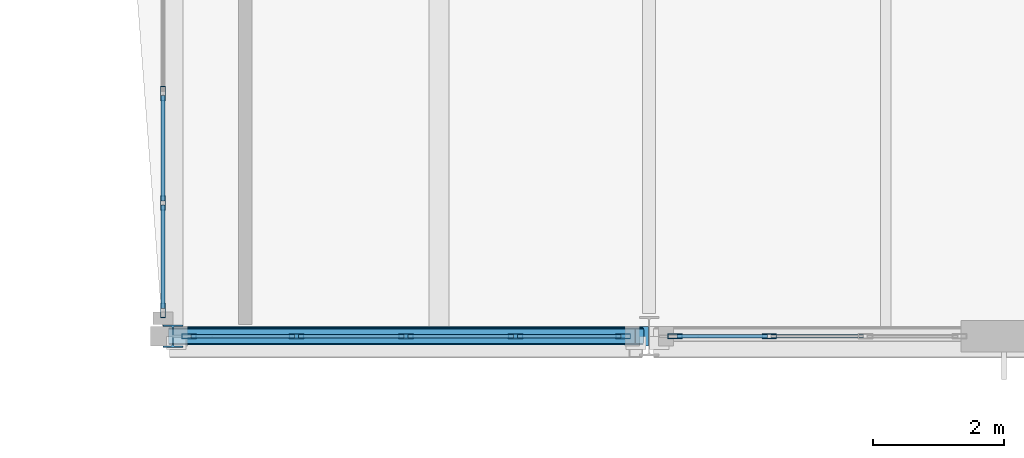
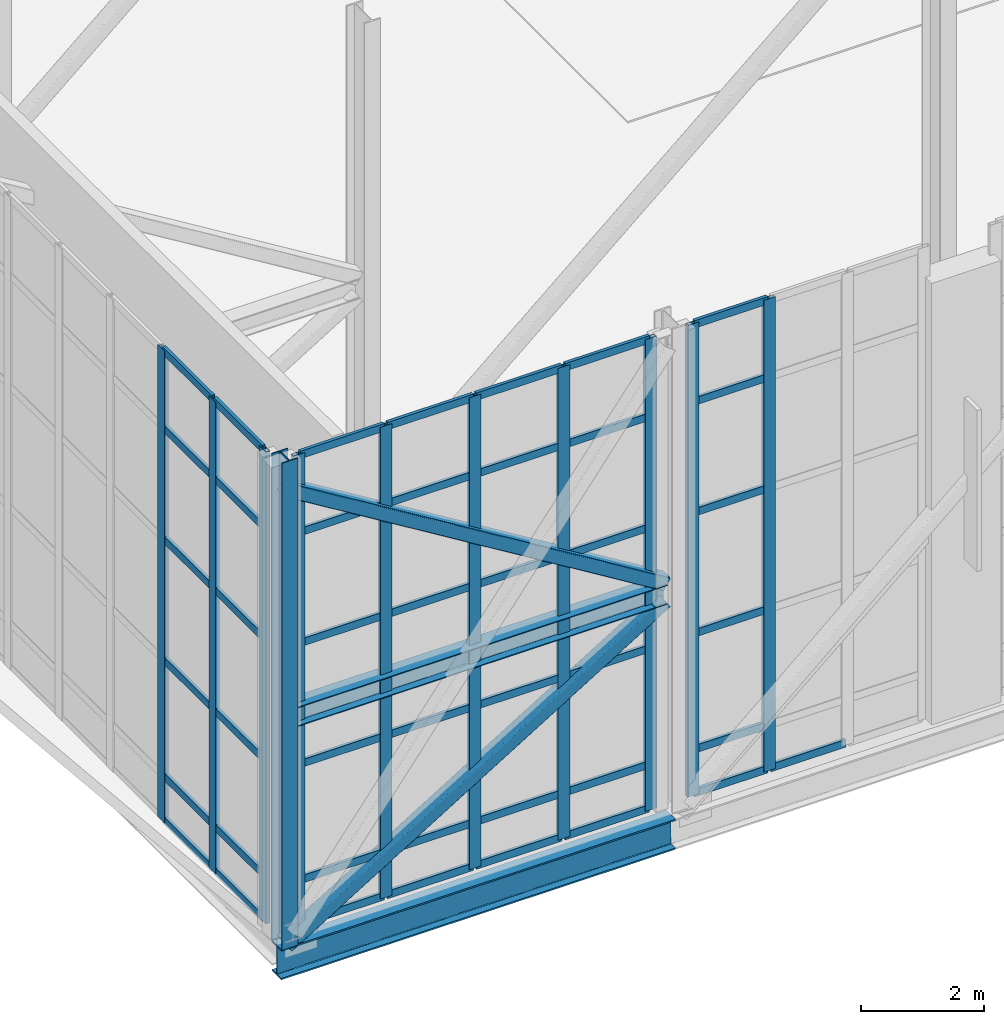
# One storey, part 12 of 100: 56 members, 2 beams, 3 elements without a shape of their own.
"""IFC4 building model written with IfcOpenShell, lengths in metres."""

from ifc_helpers import new_model, si_unit, direction, frame, origin, origin_2d, place, context, subcontext, project, spatial, hollow_rectangle, i_section, extrude, material, layer, layer_set, material_profile, profile_set, type_object, element, aggregate, save


model = new_model("IFC4")

# Units and contexts
model_context = context("Model", 3, precision=1e-05, world=origin(), true_north=direction((0.0, 1.0)))
body_context = subcontext(model_context, "Body", "Model", "MODEL_VIEW")
ifc_project = project(units=[si_unit("LENGTHUNIT", "METRE"), si_unit("AREAUNIT", "SQUARE_METRE"), si_unit("VOLUMEUNIT", "CUBIC_METRE"), si_unit("PLANEANGLEUNIT", "RADIAN"), si_unit("MASSUNIT", "GRAM", prefix="KILO")], contexts=[model_context])

# Site, building, storey
site_placement = place(None, origin())
site = spatial("IfcSite", under=ifc_project, at=site_placement, CompositionType="ELEMENT")
building_placement = place(site_placement, origin())
building = spatial("IfcBuilding", under=site, at=building_placement, Name="Tasgan Crest Museum", CompositionType="ELEMENT")
storey_placement = place(building_placement, frame((0.0, 0.0, 14.39990234375)))
storey = spatial("IfcBuildingStorey", under=building, at=storey_placement, Name="L03", CompositionType="ELEMENT", Elevation=14.39990234375)

# Beams
ifc_material_1 = material(Name="Steel S355K2", Category="steel")
ifc_material_profile_1 = material_profile(ifc_material_1, i_section(OverallWidth=0.300048828125, OverallDepth=0.60009765625, WebThickness=0.015380859375, FlangeThickness=0.030029296875, FilletRadius=0.027099609375, at=origin_2d()), Name="HEB 600")
ifc_profile_set_1 = profile_set([ifc_material_profile_1], Name="Steel S355K2")
beam_type_1 = type_object("IfcBeamType", Name="BM-CANT-G1", PredefinedType="BEAM", material=ifc_profile_set_1)
beam_1_placement = place(storey_placement, frame((3.39990234375, 40.0, -0.559814453125), z_axis=(1.0, 0.0, 0.0), x_axis=(0.0, 1.0, 0.0)))
element("IfcBeam", 1, at=beam_1_placement, inside=storey, type_object=beam_type_1, Name="Cantilever transfer girder MID E", PredefinedType="BEAM", context=body_context, shape_type="SweptSolid", body=[
    extrude(i_section(OverallWidth=0.300048828125, OverallDepth=0.60009765625, WebThickness=0.015380859375, FlangeThickness=0.030029296875, FilletRadius=0.027099609375, at=origin_2d()), origin(), (0.0, 0.0, 1.0), 7.3935546875),
])
ifc_material_2 = material(Name="Steel S355J2", Category="steel")
ifc_material_profile_2 = material_profile(ifc_material_2, i_section(OverallWidth=0.300048828125, OverallDepth=0.389892578125, WebThickness=0.010986328125, FlangeThickness=0.01904296875, FilletRadius=0.027099609375, at=origin_2d()), Name="HEA 400")
ifc_profile_set_2 = profile_set([ifc_material_profile_2], Name="Steel S355J2")
beam_type_2 = type_object("IfcBeamType", Name="BM-G-HEA400", PredefinedType="BEAM", material=ifc_profile_set_2)
beam_2_placement = place(storey_placement, frame((3.550048828125, 40.0, 4.25), z_axis=(1.0, 0.0, 0.0), x_axis=(0.0, 1.0, 0.0)))
element("IfcBeam", 2, at=beam_2_placement, inside=storey, type_object=beam_type_2, Name="Cantilever mid-height chord E", PredefinedType="BEAM", context=body_context, shape_type="SweptSolid", body=[
    extrude(i_section(OverallWidth=0.300048828125, OverallDepth=0.389892578125, WebThickness=0.010986328125, FlangeThickness=0.01904296875, FilletRadius=0.027099609375, at=origin_2d()), origin(), (0.0, 0.0, 1.0), 7.099853515625),
])

# Curtain wall, members
ifc_material_3 = material(Name="Triple-Glazed Aluminium Curtain Wall", Category="aluminium")
ifc_layer_1 = layer(ifc_material_3, 0.179931640625, Name="CW-CANT-TIP-96")
ifc_layer_set_1 = layer_set([ifc_layer_1], Name="Triple-Glazed Aluminium Curtain Wall")
curtain_wall_type_1 = type_object("IfcCurtainWallType", Name="CW-CANT-TIP-96", PredefinedType="NOTDEFINED", material=ifc_layer_set_1)
curtain_wall_1_placement = place(storey_placement, origin())
curtain_wall_1 = element("IfcCurtainWall", 3, at=curtain_wall_1_placement, inside=storey, type_object=curtain_wall_type_1, Name="Curtain wall L03 139", PredefinedType="NOTDEFINED")
ifc_material_4 = material(Name="Anodised Aluminium", Category="aluminium")
ifc_material_profile_3 = material_profile(ifc_material_4, hollow_rectangle(XDim=0.074951171875, YDim=0.219970703125, WallThickness=0.006103515625, at=origin_2d()), Name="ALU MULLION 220x75x6")
ifc_profile_set_3 = profile_set([ifc_material_profile_3], Name="Anodised Aluminium")
member_type_1 = type_object("IfcMemberType", Name="CW-MULLION-220", PredefinedType="MULLION", material=ifc_profile_set_3)
member_1_placement = place(storey_placement, frame((3.39990234375, 43.69677734375, 0.0), z_axis=(0.0, 0.0, 1.0), x_axis=(1.0, 0.0, 0.0)))
member_1 = element("IfcMember", 4, at=member_1_placement, type_object=member_type_1, Name="CW10 mullion 11", PredefinedType="MULLION", context=body_context, shape_type="SweptSolid", body=[
    extrude(hollow_rectangle(XDim=0.074951171875, YDim=0.219970703125, WallThickness=0.006103515625, at=origin_2d()), origin(), (0.0, 0.0, 1.0), 9.360107421875),
])
member_2_placement = place(storey_placement, frame((3.39990234375, 42.03076171875, 0.0), z_axis=(0.0, 0.0, 1.0), x_axis=(1.0, 0.0, 0.0)))
member_2 = element("IfcMember", 5, at=member_2_placement, type_object=member_type_1, Name="CW10 mullion 12", PredefinedType="MULLION", context=body_context, shape_type="SweptSolid", body=[
    extrude(hollow_rectangle(XDim=0.074951171875, YDim=0.219970703125, WallThickness=0.006103515625, at=origin_2d()), origin(), (0.0, 0.0, 1.0), 9.360107421875),
])
member_3_placement = place(storey_placement, frame((3.39990234375, 40.39501953125, 0.0), z_axis=(0.0, 0.0, 1.0), x_axis=(1.0, 0.0, 0.0)))
member_3 = element("IfcMember", 6, at=member_3_placement, type_object=member_type_1, Name="CW10 mullion 13", PredefinedType="MULLION", context=body_context, shape_type="SweptSolid", body=[
    extrude(hollow_rectangle(XDim=0.074951171875, YDim=0.219970703125, WallThickness=0.006103515625, at=origin_2d()), origin(), (0.0, 0.0, 1.0), 9.360107421875),
])

ifc_material_5 = material(Name="Triple-Glazed Aluminium Curtain Wall", Category="aluminium")
ifc_layer_2 = layer(ifc_material_5, 0.179931640625, Name="CW-CANT-SIDE-96")
ifc_layer_set_2 = layer_set([ifc_layer_2], Name="Triple-Glazed Aluminium Curtain Wall")
curtain_wall_type_2 = type_object("IfcCurtainWallType", Name="CW-CANT-SIDE-96", PredefinedType="NOTDEFINED", material=ifc_layer_set_2)
curtain_wall_2_placement = place(storey_placement, origin())
curtain_wall_2 = element("IfcCurtainWall", 7, at=curtain_wall_2_placement, inside=storey, type_object=curtain_wall_type_2, Name="Curtain wall L03 140", PredefinedType="NOTDEFINED")
member_4_placement = place(storey_placement, frame((3.794921875, 40.0, 0.0), z_axis=(0.0, 0.0, 1.0), x_axis=(0.0, 1.0, 0.0)))
member_4 = element("IfcMember", 8, at=member_4_placement, type_object=member_type_1, Name="CW12 mullion 1", PredefinedType="MULLION", context=body_context, shape_type="SweptSolid", body=[
    extrude(hollow_rectangle(XDim=0.074951171875, YDim=0.219970703125, WallThickness=0.006103515625, at=origin_2d()), origin(), (0.0, 0.0, 1.0), 9.360107421875),
])
member_5_placement = place(storey_placement, frame((5.4326171875, 40.0, 0.0), z_axis=(0.0, 0.0, 1.0), x_axis=(0.0, 1.0, 0.0)))
member_5 = element("IfcMember", 9, at=member_5_placement, type_object=member_type_1, Name="CW12 mullion 2", PredefinedType="MULLION", context=body_context, shape_type="SweptSolid", body=[
    extrude(hollow_rectangle(XDim=0.074951171875, YDim=0.219970703125, WallThickness=0.006103515625, at=origin_2d()), origin(), (0.0, 0.0, 1.0), 9.360107421875),
])
member_6_placement = place(storey_placement, frame((7.10009765625, 40.0, 0.0), z_axis=(0.0, 0.0, 1.0), x_axis=(0.0, 1.0, 0.0)))
member_6 = element("IfcMember", 10, at=member_6_placement, type_object=member_type_1, Name="CW12 mullion 3", PredefinedType="MULLION", context=body_context, shape_type="SweptSolid", body=[
    extrude(hollow_rectangle(XDim=0.074951171875, YDim=0.219970703125, WallThickness=0.006103515625, at=origin_2d()), origin(), (0.0, 0.0, 1.0), 9.360107421875),
])
member_7_placement = place(storey_placement, frame((8.767578125, 40.0, 0.0), z_axis=(0.0, 0.0, 1.0), x_axis=(0.0, 1.0, 0.0)))
member_7 = element("IfcMember", 11, at=member_7_placement, type_object=member_type_1, Name="CW12 mullion 4", PredefinedType="MULLION", context=body_context, shape_type="SweptSolid", body=[
    extrude(hollow_rectangle(XDim=0.074951171875, YDim=0.219970703125, WallThickness=0.006103515625, at=origin_2d()), origin(), (0.0, 0.0, 1.0), 9.360107421875),
])
member_8_placement = place(storey_placement, frame((10.405029296875, 40.0, 0.0), z_axis=(0.0, 0.0, 1.0), x_axis=(0.0, 1.0, 0.0)))
member_8 = element("IfcMember", 12, at=member_8_placement, type_object=member_type_1, Name="CW12 mullion 5", PredefinedType="MULLION", context=body_context, shape_type="SweptSolid", body=[
    extrude(hollow_rectangle(XDim=0.074951171875, YDim=0.219970703125, WallThickness=0.006103515625, at=origin_2d()), origin(), (0.0, 0.0, 1.0), 9.360107421875),
])

curtain_wall_3_placement = place(storey_placement, origin())
curtain_wall_3 = element("IfcCurtainWall", 13, at=curtain_wall_3_placement, inside=storey, type_object=curtain_wall_type_2, Name="Curtain wall L03 141", PredefinedType="NOTDEFINED")
member_9_placement = place(storey_placement, frame((11.195068359375, 40.0, 0.0), z_axis=(0.0, 0.0, 1.0), x_axis=(0.0, 1.0, 0.0)))
member_9 = element("IfcMember", 14, at=member_9_placement, type_object=member_type_1, Name="CW12 mullion 1", PredefinedType="MULLION", context=body_context, shape_type="SweptSolid", body=[
    extrude(hollow_rectangle(XDim=0.074951171875, YDim=0.219970703125, WallThickness=0.006103515625, at=origin_2d()), origin(), (0.0, 0.0, 1.0), 9.360107421875),
])
member_10_placement = place(storey_placement, frame((12.62841796875, 40.0, 0.0), z_axis=(0.0, 0.0, 1.0), x_axis=(0.0, 1.0, 0.0)))
member_10 = element("IfcMember", 15, at=member_10_placement, type_object=member_type_1, Name="CW12 mullion 2", PredefinedType="MULLION", context=body_context, shape_type="SweptSolid", body=[
    extrude(hollow_rectangle(XDim=0.074951171875, YDim=0.219970703125, WallThickness=0.006103515625, at=origin_2d()), origin(), (0.0, 0.0, 1.0), 9.360107421875),
])

# Member
ifc_material_6 = material(Name="Anodised Aluminium", Category="aluminium")
ifc_material_profile_4 = material_profile(ifc_material_6, hollow_rectangle(XDim=0.06005859375, YDim=0.14990234375, WallThickness=0.0048828125, at=origin_2d()), Name="ALU TRANSOM 150x60x5")
ifc_profile_set_4 = profile_set([ifc_material_profile_4], Name="Anodised Aluminium")
member_type_2 = type_object("IfcMemberType", Name="CW-TRANSOM-150", PredefinedType="USERDEFINED", material=ifc_profile_set_4)
member_11_placement = place(storey_placement, frame((3.39990234375, 43.666748046875, 0.030029296875), z_axis=(0.0, -1.0, 0.0), x_axis=(1.0, 0.0, 0.0)))
member_11 = element("IfcMember", 16, at=member_11_placement, type_object=member_type_2, Name="CW10 transom 11.1", ObjectType="TRANSOM", PredefinedType="USERDEFINED", context=body_context, shape_type="SweptSolid", body=[
    extrude(hollow_rectangle(XDim=0.06005859375, YDim=0.14990234375, WallThickness=0.0048828125, at=origin_2d()), origin(), (0.0, 0.0, 1.0), 1.60595703125),
])

member_12_placement = place(storey_placement, frame((3.39990234375, 43.666748046875, 0.900146484375), z_axis=(0.0, -1.0, 0.0), x_axis=(1.0, 0.0, 0.0)))
member_12 = element("IfcMember", 17, at=member_12_placement, type_object=member_type_2, Name="CW10 transom 11.2", ObjectType="TRANSOM", PredefinedType="USERDEFINED", context=body_context, shape_type="SweptSolid", body=[
    extrude(hollow_rectangle(XDim=0.06005859375, YDim=0.14990234375, WallThickness=0.0048828125, at=origin_2d()), origin(), (0.0, 0.0, 1.0), 1.60595703125),
])

member_13_placement = place(storey_placement, frame((3.39990234375, 43.666748046875, 3.2001953125), z_axis=(0.0, -1.0, 0.0), x_axis=(1.0, 0.0, 0.0)))
member_13 = element("IfcMember", 18, at=member_13_placement, type_object=member_type_2, Name="CW10 transom 11.3", ObjectType="TRANSOM", PredefinedType="USERDEFINED", context=body_context, shape_type="SweptSolid", body=[
    extrude(hollow_rectangle(XDim=0.06005859375, YDim=0.14990234375, WallThickness=0.0048828125, at=origin_2d()), origin(), (0.0, 0.0, 1.0), 1.60595703125),
])

member_14_placement = place(storey_placement, frame((3.39990234375, 43.666748046875, 5.60009765625), z_axis=(0.0, -1.0, 0.0), x_axis=(1.0, 0.0, 0.0)))
member_14 = element("IfcMember", 19, at=member_14_placement, type_object=member_type_2, Name="CW10 transom 11.4", ObjectType="TRANSOM", PredefinedType="USERDEFINED", context=body_context, shape_type="SweptSolid", body=[
    extrude(hollow_rectangle(XDim=0.06005859375, YDim=0.14990234375, WallThickness=0.0048828125, at=origin_2d()), origin(), (0.0, 0.0, 1.0), 1.60595703125),
])

member_15_placement = place(storey_placement, frame((3.39990234375, 43.666748046875, 7.800048828125), z_axis=(0.0, -1.0, 0.0), x_axis=(1.0, 0.0, 0.0)))
member_15 = element("IfcMember", 20, at=member_15_placement, type_object=member_type_2, Name="CW10 transom 11.5", ObjectType="TRANSOM", PredefinedType="USERDEFINED", context=body_context, shape_type="SweptSolid", body=[
    extrude(hollow_rectangle(XDim=0.06005859375, YDim=0.14990234375, WallThickness=0.0048828125, at=origin_2d()), origin(), (0.0, 0.0, 1.0), 1.60595703125),
])

member_16_placement = place(storey_placement, frame((3.39990234375, 43.666748046875, 9.330078125), z_axis=(0.0, -1.0, 0.0), x_axis=(1.0, 0.0, 0.0)))
member_16 = element("IfcMember", 21, at=member_16_placement, type_object=member_type_2, Name="CW10 transom 11.6", ObjectType="TRANSOM", PredefinedType="USERDEFINED", context=body_context, shape_type="SweptSolid", body=[
    extrude(hollow_rectangle(XDim=0.06005859375, YDim=0.14990234375, WallThickness=0.0048828125, at=origin_2d()), origin(), (0.0, 0.0, 1.0), 1.60595703125),
])

member_17_placement = place(storey_placement, frame((3.39990234375, 42.000732421875, 0.030029296875), z_axis=(0.0, -1.0, 0.0), x_axis=(1.0, 0.0, 0.0)))
member_17 = element("IfcMember", 22, at=member_17_placement, type_object=member_type_2, Name="CW10 transom 12.1", ObjectType="TRANSOM", PredefinedType="USERDEFINED", context=body_context, shape_type="SweptSolid", body=[
    extrude(hollow_rectangle(XDim=0.06005859375, YDim=0.14990234375, WallThickness=0.0048828125, at=origin_2d()), origin(), (0.0, 0.0, 1.0), 1.57568359375),
])

member_18_placement = place(storey_placement, frame((3.39990234375, 42.000732421875, 0.900146484375), z_axis=(0.0, -1.0, 0.0), x_axis=(1.0, 0.0, 0.0)))
member_18 = element("IfcMember", 23, at=member_18_placement, type_object=member_type_2, Name="CW10 transom 12.2", ObjectType="TRANSOM", PredefinedType="USERDEFINED", context=body_context, shape_type="SweptSolid", body=[
    extrude(hollow_rectangle(XDim=0.06005859375, YDim=0.14990234375, WallThickness=0.0048828125, at=origin_2d()), origin(), (0.0, 0.0, 1.0), 1.57568359375),
])

member_19_placement = place(storey_placement, frame((3.39990234375, 42.000732421875, 3.2001953125), z_axis=(0.0, -1.0, 0.0), x_axis=(1.0, 0.0, 0.0)))
member_19 = element("IfcMember", 24, at=member_19_placement, type_object=member_type_2, Name="CW10 transom 12.3", ObjectType="TRANSOM", PredefinedType="USERDEFINED", context=body_context, shape_type="SweptSolid", body=[
    extrude(hollow_rectangle(XDim=0.06005859375, YDim=0.14990234375, WallThickness=0.0048828125, at=origin_2d()), origin(), (0.0, 0.0, 1.0), 1.57568359375),
])

member_20_placement = place(storey_placement, frame((3.39990234375, 42.000732421875, 5.60009765625), z_axis=(0.0, -1.0, 0.0), x_axis=(1.0, 0.0, 0.0)))
member_20 = element("IfcMember", 25, at=member_20_placement, type_object=member_type_2, Name="CW10 transom 12.4", ObjectType="TRANSOM", PredefinedType="USERDEFINED", context=body_context, shape_type="SweptSolid", body=[
    extrude(hollow_rectangle(XDim=0.06005859375, YDim=0.14990234375, WallThickness=0.0048828125, at=origin_2d()), origin(), (0.0, 0.0, 1.0), 1.57568359375),
])

member_21_placement = place(storey_placement, frame((3.39990234375, 42.000732421875, 7.800048828125), z_axis=(0.0, -1.0, 0.0), x_axis=(1.0, 0.0, 0.0)))
member_21 = element("IfcMember", 26, at=member_21_placement, type_object=member_type_2, Name="CW10 transom 12.5", ObjectType="TRANSOM", PredefinedType="USERDEFINED", context=body_context, shape_type="SweptSolid", body=[
    extrude(hollow_rectangle(XDim=0.06005859375, YDim=0.14990234375, WallThickness=0.0048828125, at=origin_2d()), origin(), (0.0, 0.0, 1.0), 1.57568359375),
])

member_22_placement = place(storey_placement, frame((3.39990234375, 42.000732421875, 9.330078125), z_axis=(0.0, -1.0, 0.0), x_axis=(1.0, 0.0, 0.0)))
member_22 = element("IfcMember", 27, at=member_22_placement, type_object=member_type_2, Name="CW10 transom 12.6", ObjectType="TRANSOM", PredefinedType="USERDEFINED", context=body_context, shape_type="SweptSolid", body=[
    extrude(hollow_rectangle(XDim=0.06005859375, YDim=0.14990234375, WallThickness=0.0048828125, at=origin_2d()), origin(), (0.0, 0.0, 1.0), 1.57568359375),
])

aggregate(curtain_wall_1, [member_1, member_2, member_3, member_11, member_12, member_13, member_14, member_15, member_16, member_17, member_18, member_19, member_20, member_21, member_22])

member_23_placement = place(storey_placement, frame((3.824951171875, 40.0, 0.030029296875), z_axis=(1.0, 0.0, 0.0), x_axis=(0.0, 1.0, 0.0)))
member_23 = element("IfcMember", 28, at=member_23_placement, type_object=member_type_2, Name="CW12 transom 1.1", ObjectType="TRANSOM", PredefinedType="USERDEFINED", context=body_context, shape_type="SweptSolid", body=[
    extrude(hollow_rectangle(XDim=0.06005859375, YDim=0.14990234375, WallThickness=0.0048828125, at=origin_2d()), origin(), (0.0, 0.0, 1.0), 1.57763671875),
])

member_24_placement = place(storey_placement, frame((3.824951171875, 40.0, 0.900146484375), z_axis=(1.0, 0.0, 0.0), x_axis=(0.0, 1.0, 0.0)))
member_24 = element("IfcMember", 29, at=member_24_placement, type_object=member_type_2, Name="CW12 transom 1.2", ObjectType="TRANSOM", PredefinedType="USERDEFINED", context=body_context, shape_type="SweptSolid", body=[
    extrude(hollow_rectangle(XDim=0.06005859375, YDim=0.14990234375, WallThickness=0.0048828125, at=origin_2d()), origin(), (0.0, 0.0, 1.0), 1.57763671875),
])

member_25_placement = place(storey_placement, frame((3.824951171875, 40.0, 3.2001953125), z_axis=(1.0, 0.0, 0.0), x_axis=(0.0, 1.0, 0.0)))
member_25 = element("IfcMember", 30, at=member_25_placement, type_object=member_type_2, Name="CW12 transom 1.3", ObjectType="TRANSOM", PredefinedType="USERDEFINED", context=body_context, shape_type="SweptSolid", body=[
    extrude(hollow_rectangle(XDim=0.06005859375, YDim=0.14990234375, WallThickness=0.0048828125, at=origin_2d()), origin(), (0.0, 0.0, 1.0), 1.57763671875),
])

member_26_placement = place(storey_placement, frame((3.824951171875, 40.0, 5.60009765625), z_axis=(1.0, 0.0, 0.0), x_axis=(0.0, 1.0, 0.0)))
member_26 = element("IfcMember", 31, at=member_26_placement, type_object=member_type_2, Name="CW12 transom 1.4", ObjectType="TRANSOM", PredefinedType="USERDEFINED", context=body_context, shape_type="SweptSolid", body=[
    extrude(hollow_rectangle(XDim=0.06005859375, YDim=0.14990234375, WallThickness=0.0048828125, at=origin_2d()), origin(), (0.0, 0.0, 1.0), 1.57763671875),
])

member_27_placement = place(storey_placement, frame((3.824951171875, 40.0, 7.800048828125), z_axis=(1.0, 0.0, 0.0), x_axis=(0.0, 1.0, 0.0)))
member_27 = element("IfcMember", 32, at=member_27_placement, type_object=member_type_2, Name="CW12 transom 1.5", ObjectType="TRANSOM", PredefinedType="USERDEFINED", context=body_context, shape_type="SweptSolid", body=[
    extrude(hollow_rectangle(XDim=0.06005859375, YDim=0.14990234375, WallThickness=0.0048828125, at=origin_2d()), origin(), (0.0, 0.0, 1.0), 1.57763671875),
])

member_28_placement = place(storey_placement, frame((3.824951171875, 40.0, 9.330078125), z_axis=(1.0, 0.0, 0.0), x_axis=(0.0, 1.0, 0.0)))
member_28 = element("IfcMember", 33, at=member_28_placement, type_object=member_type_2, Name="CW12 transom 1.6", ObjectType="TRANSOM", PredefinedType="USERDEFINED", context=body_context, shape_type="SweptSolid", body=[
    extrude(hollow_rectangle(XDim=0.06005859375, YDim=0.14990234375, WallThickness=0.0048828125, at=origin_2d()), origin(), (0.0, 0.0, 1.0), 1.57763671875),
])

member_29_placement = place(storey_placement, frame((5.46240234375, 40.0, 0.030029296875), z_axis=(1.0, 0.0, 0.0), x_axis=(0.0, 1.0, 0.0)))
member_29 = element("IfcMember", 34, at=member_29_placement, type_object=member_type_2, Name="CW12 transom 2.1", ObjectType="TRANSOM", PredefinedType="USERDEFINED", context=body_context, shape_type="SweptSolid", body=[
    extrude(hollow_rectangle(XDim=0.06005859375, YDim=0.14990234375, WallThickness=0.0048828125, at=origin_2d()), origin(), (0.0, 0.0, 1.0), 1.607666015625),
])

member_30_placement = place(storey_placement, frame((5.46240234375, 40.0, 0.900146484375), z_axis=(1.0, 0.0, 0.0), x_axis=(0.0, 1.0, 0.0)))
member_30 = element("IfcMember", 35, at=member_30_placement, type_object=member_type_2, Name="CW12 transom 2.2", ObjectType="TRANSOM", PredefinedType="USERDEFINED", context=body_context, shape_type="SweptSolid", body=[
    extrude(hollow_rectangle(XDim=0.06005859375, YDim=0.14990234375, WallThickness=0.0048828125, at=origin_2d()), origin(), (0.0, 0.0, 1.0), 1.607666015625),
])

member_31_placement = place(storey_placement, frame((5.46240234375, 40.0, 3.2001953125), z_axis=(1.0, 0.0, 0.0), x_axis=(0.0, 1.0, 0.0)))
member_31 = element("IfcMember", 36, at=member_31_placement, type_object=member_type_2, Name="CW12 transom 2.3", ObjectType="TRANSOM", PredefinedType="USERDEFINED", context=body_context, shape_type="SweptSolid", body=[
    extrude(hollow_rectangle(XDim=0.06005859375, YDim=0.14990234375, WallThickness=0.0048828125, at=origin_2d()), origin(), (0.0, 0.0, 1.0), 1.607666015625),
])

member_32_placement = place(storey_placement, frame((5.46240234375, 40.0, 5.60009765625), z_axis=(1.0, 0.0, 0.0), x_axis=(0.0, 1.0, 0.0)))
member_32 = element("IfcMember", 37, at=member_32_placement, type_object=member_type_2, Name="CW12 transom 2.4", ObjectType="TRANSOM", PredefinedType="USERDEFINED", context=body_context, shape_type="SweptSolid", body=[
    extrude(hollow_rectangle(XDim=0.06005859375, YDim=0.14990234375, WallThickness=0.0048828125, at=origin_2d()), origin(), (0.0, 0.0, 1.0), 1.607666015625),
])

member_33_placement = place(storey_placement, frame((5.46240234375, 40.0, 7.800048828125), z_axis=(1.0, 0.0, 0.0), x_axis=(0.0, 1.0, 0.0)))
member_33 = element("IfcMember", 38, at=member_33_placement, type_object=member_type_2, Name="CW12 transom 2.5", ObjectType="TRANSOM", PredefinedType="USERDEFINED", context=body_context, shape_type="SweptSolid", body=[
    extrude(hollow_rectangle(XDim=0.06005859375, YDim=0.14990234375, WallThickness=0.0048828125, at=origin_2d()), origin(), (0.0, 0.0, 1.0), 1.607666015625),
])

member_34_placement = place(storey_placement, frame((5.46240234375, 40.0, 9.330078125), z_axis=(1.0, 0.0, 0.0), x_axis=(0.0, 1.0, 0.0)))
member_34 = element("IfcMember", 39, at=member_34_placement, type_object=member_type_2, Name="CW12 transom 2.6", ObjectType="TRANSOM", PredefinedType="USERDEFINED", context=body_context, shape_type="SweptSolid", body=[
    extrude(hollow_rectangle(XDim=0.06005859375, YDim=0.14990234375, WallThickness=0.0048828125, at=origin_2d()), origin(), (0.0, 0.0, 1.0), 1.607666015625),
])

member_35_placement = place(storey_placement, frame((7.1298828125, 40.0, 0.030029296875), z_axis=(1.0, 0.0, 0.0), x_axis=(0.0, 1.0, 0.0)))
member_35 = element("IfcMember", 40, at=member_35_placement, type_object=member_type_2, Name="CW12 transom 3.1", ObjectType="TRANSOM", PredefinedType="USERDEFINED", context=body_context, shape_type="SweptSolid", body=[
    extrude(hollow_rectangle(XDim=0.06005859375, YDim=0.14990234375, WallThickness=0.0048828125, at=origin_2d()), origin(), (0.0, 0.0, 1.0), 1.607666015625),
])

member_36_placement = place(storey_placement, frame((7.1298828125, 40.0, 0.900146484375), z_axis=(1.0, 0.0, 0.0), x_axis=(0.0, 1.0, 0.0)))
member_36 = element("IfcMember", 41, at=member_36_placement, type_object=member_type_2, Name="CW12 transom 3.2", ObjectType="TRANSOM", PredefinedType="USERDEFINED", context=body_context, shape_type="SweptSolid", body=[
    extrude(hollow_rectangle(XDim=0.06005859375, YDim=0.14990234375, WallThickness=0.0048828125, at=origin_2d()), origin(), (0.0, 0.0, 1.0), 1.607666015625),
])

member_37_placement = place(storey_placement, frame((7.1298828125, 40.0, 3.2001953125), z_axis=(1.0, 0.0, 0.0), x_axis=(0.0, 1.0, 0.0)))
member_37 = element("IfcMember", 42, at=member_37_placement, type_object=member_type_2, Name="CW12 transom 3.3", ObjectType="TRANSOM", PredefinedType="USERDEFINED", context=body_context, shape_type="SweptSolid", body=[
    extrude(hollow_rectangle(XDim=0.06005859375, YDim=0.14990234375, WallThickness=0.0048828125, at=origin_2d()), origin(), (0.0, 0.0, 1.0), 1.607666015625),
])

member_38_placement = place(storey_placement, frame((7.1298828125, 40.0, 5.60009765625), z_axis=(1.0, 0.0, 0.0), x_axis=(0.0, 1.0, 0.0)))
member_38 = element("IfcMember", 43, at=member_38_placement, type_object=member_type_2, Name="CW12 transom 3.4", ObjectType="TRANSOM", PredefinedType="USERDEFINED", context=body_context, shape_type="SweptSolid", body=[
    extrude(hollow_rectangle(XDim=0.06005859375, YDim=0.14990234375, WallThickness=0.0048828125, at=origin_2d()), origin(), (0.0, 0.0, 1.0), 1.607666015625),
])

member_39_placement = place(storey_placement, frame((7.1298828125, 40.0, 7.800048828125), z_axis=(1.0, 0.0, 0.0), x_axis=(0.0, 1.0, 0.0)))
member_39 = element("IfcMember", 44, at=member_39_placement, type_object=member_type_2, Name="CW12 transom 3.5", ObjectType="TRANSOM", PredefinedType="USERDEFINED", context=body_context, shape_type="SweptSolid", body=[
    extrude(hollow_rectangle(XDim=0.06005859375, YDim=0.14990234375, WallThickness=0.0048828125, at=origin_2d()), origin(), (0.0, 0.0, 1.0), 1.607666015625),
])

member_40_placement = place(storey_placement, frame((7.1298828125, 40.0, 9.330078125), z_axis=(1.0, 0.0, 0.0), x_axis=(0.0, 1.0, 0.0)))
member_40 = element("IfcMember", 45, at=member_40_placement, type_object=member_type_2, Name="CW12 transom 3.6", ObjectType="TRANSOM", PredefinedType="USERDEFINED", context=body_context, shape_type="SweptSolid", body=[
    extrude(hollow_rectangle(XDim=0.06005859375, YDim=0.14990234375, WallThickness=0.0048828125, at=origin_2d()), origin(), (0.0, 0.0, 1.0), 1.607666015625),
])

member_41_placement = place(storey_placement, frame((8.797607421875, 40.0, 0.030029296875), z_axis=(1.0, 0.0, 0.0), x_axis=(0.0, 1.0, 0.0)))
member_41 = element("IfcMember", 46, at=member_41_placement, type_object=member_type_2, Name="CW12 transom 4.1", ObjectType="TRANSOM", PredefinedType="USERDEFINED", context=body_context, shape_type="SweptSolid", body=[
    extrude(hollow_rectangle(XDim=0.06005859375, YDim=0.14990234375, WallThickness=0.0048828125, at=origin_2d()), origin(), (0.0, 0.0, 1.0), 1.577392578125),
])

member_42_placement = place(storey_placement, frame((8.797607421875, 40.0, 0.900146484375), z_axis=(1.0, 0.0, 0.0), x_axis=(0.0, 1.0, 0.0)))
member_42 = element("IfcMember", 47, at=member_42_placement, type_object=member_type_2, Name="CW12 transom 4.2", ObjectType="TRANSOM", PredefinedType="USERDEFINED", context=body_context, shape_type="SweptSolid", body=[
    extrude(hollow_rectangle(XDim=0.06005859375, YDim=0.14990234375, WallThickness=0.0048828125, at=origin_2d()), origin(), (0.0, 0.0, 1.0), 1.577392578125),
])

member_43_placement = place(storey_placement, frame((8.797607421875, 40.0, 3.2001953125), z_axis=(1.0, 0.0, 0.0), x_axis=(0.0, 1.0, 0.0)))
member_43 = element("IfcMember", 48, at=member_43_placement, type_object=member_type_2, Name="CW12 transom 4.3", ObjectType="TRANSOM", PredefinedType="USERDEFINED", context=body_context, shape_type="SweptSolid", body=[
    extrude(hollow_rectangle(XDim=0.06005859375, YDim=0.14990234375, WallThickness=0.0048828125, at=origin_2d()), origin(), (0.0, 0.0, 1.0), 1.577392578125),
])

member_44_placement = place(storey_placement, frame((8.797607421875, 40.0, 5.60009765625), z_axis=(1.0, 0.0, 0.0), x_axis=(0.0, 1.0, 0.0)))
member_44 = element("IfcMember", 49, at=member_44_placement, type_object=member_type_2, Name="CW12 transom 4.4", ObjectType="TRANSOM", PredefinedType="USERDEFINED", context=body_context, shape_type="SweptSolid", body=[
    extrude(hollow_rectangle(XDim=0.06005859375, YDim=0.14990234375, WallThickness=0.0048828125, at=origin_2d()), origin(), (0.0, 0.0, 1.0), 1.577392578125),
])

member_45_placement = place(storey_placement, frame((8.797607421875, 40.0, 7.800048828125), z_axis=(1.0, 0.0, 0.0), x_axis=(0.0, 1.0, 0.0)))
member_45 = element("IfcMember", 50, at=member_45_placement, type_object=member_type_2, Name="CW12 transom 4.5", ObjectType="TRANSOM", PredefinedType="USERDEFINED", context=body_context, shape_type="SweptSolid", body=[
    extrude(hollow_rectangle(XDim=0.06005859375, YDim=0.14990234375, WallThickness=0.0048828125, at=origin_2d()), origin(), (0.0, 0.0, 1.0), 1.577392578125),
])

member_46_placement = place(storey_placement, frame((8.797607421875, 40.0, 9.330078125), z_axis=(1.0, 0.0, 0.0), x_axis=(0.0, 1.0, 0.0)))
member_46 = element("IfcMember", 51, at=member_46_placement, type_object=member_type_2, Name="CW12 transom 4.6", ObjectType="TRANSOM", PredefinedType="USERDEFINED", context=body_context, shape_type="SweptSolid", body=[
    extrude(hollow_rectangle(XDim=0.06005859375, YDim=0.14990234375, WallThickness=0.0048828125, at=origin_2d()), origin(), (0.0, 0.0, 1.0), 1.577392578125),
])

aggregate(curtain_wall_2, [member_4, member_5, member_6, member_7, member_8, member_23, member_24, member_25, member_26, member_27, member_28, member_29, member_30, member_31, member_32, member_33, member_34, member_35, member_36, member_37, member_38, member_39, member_40, member_41, member_42, member_43, member_44, member_45, member_46])

member_47_placement = place(storey_placement, frame((11.22509765625, 40.0, 0.030029296875), z_axis=(1.0, 0.0, 0.0), x_axis=(0.0, 1.0, 0.0)))
member_47 = element("IfcMember", 52, at=member_47_placement, type_object=member_type_2, Name="CW12 transom 1.1", ObjectType="TRANSOM", PredefinedType="USERDEFINED", context=body_context, shape_type="SweptSolid", body=[
    extrude(hollow_rectangle(XDim=0.06005859375, YDim=0.14990234375, WallThickness=0.0048828125, at=origin_2d()), origin(), (0.0, 0.0, 1.0), 1.373291015625),
])

member_48_placement = place(storey_placement, frame((11.22509765625, 40.0, 0.900146484375), z_axis=(1.0, 0.0, 0.0), x_axis=(0.0, 1.0, 0.0)))
member_48 = element("IfcMember", 53, at=member_48_placement, type_object=member_type_2, Name="CW12 transom 1.2", ObjectType="TRANSOM", PredefinedType="USERDEFINED", context=body_context, shape_type="SweptSolid", body=[
    extrude(hollow_rectangle(XDim=0.06005859375, YDim=0.14990234375, WallThickness=0.0048828125, at=origin_2d()), origin(), (0.0, 0.0, 1.0), 1.373291015625),
])

member_49_placement = place(storey_placement, frame((11.22509765625, 40.0, 3.2001953125), z_axis=(1.0, 0.0, 0.0), x_axis=(0.0, 1.0, 0.0)))
member_49 = element("IfcMember", 54, at=member_49_placement, type_object=member_type_2, Name="CW12 transom 1.3", ObjectType="TRANSOM", PredefinedType="USERDEFINED", context=body_context, shape_type="SweptSolid", body=[
    extrude(hollow_rectangle(XDim=0.06005859375, YDim=0.14990234375, WallThickness=0.0048828125, at=origin_2d()), origin(), (0.0, 0.0, 1.0), 1.373291015625),
])

member_50_placement = place(storey_placement, frame((11.22509765625, 40.0, 5.60009765625), z_axis=(1.0, 0.0, 0.0), x_axis=(0.0, 1.0, 0.0)))
member_50 = element("IfcMember", 55, at=member_50_placement, type_object=member_type_2, Name="CW12 transom 1.4", ObjectType="TRANSOM", PredefinedType="USERDEFINED", context=body_context, shape_type="SweptSolid", body=[
    extrude(hollow_rectangle(XDim=0.06005859375, YDim=0.14990234375, WallThickness=0.0048828125, at=origin_2d()), origin(), (0.0, 0.0, 1.0), 1.373291015625),
])

member_51_placement = place(storey_placement, frame((11.22509765625, 40.0, 7.800048828125), z_axis=(1.0, 0.0, 0.0), x_axis=(0.0, 1.0, 0.0)))
member_51 = element("IfcMember", 56, at=member_51_placement, type_object=member_type_2, Name="CW12 transom 1.5", ObjectType="TRANSOM", PredefinedType="USERDEFINED", context=body_context, shape_type="SweptSolid", body=[
    extrude(hollow_rectangle(XDim=0.06005859375, YDim=0.14990234375, WallThickness=0.0048828125, at=origin_2d()), origin(), (0.0, 0.0, 1.0), 1.373291015625),
])

member_52_placement = place(storey_placement, frame((11.22509765625, 40.0, 9.330078125), z_axis=(1.0, 0.0, 0.0), x_axis=(0.0, 1.0, 0.0)))
member_52 = element("IfcMember", 57, at=member_52_placement, type_object=member_type_2, Name="CW12 transom 1.6", ObjectType="TRANSOM", PredefinedType="USERDEFINED", context=body_context, shape_type="SweptSolid", body=[
    extrude(hollow_rectangle(XDim=0.06005859375, YDim=0.14990234375, WallThickness=0.0048828125, at=origin_2d()), origin(), (0.0, 0.0, 1.0), 1.373291015625),
])

member_53_placement = place(storey_placement, frame((12.658447265625, 40.0, 0.030029296875), z_axis=(1.0, 0.0, 0.0), x_axis=(0.0, 1.0, 0.0)))
member_53 = element("IfcMember", 58, at=member_53_placement, type_object=member_type_2, Name="CW12 transom 2.1", ObjectType="TRANSOM", PredefinedType="USERDEFINED", context=body_context, shape_type="SweptSolid", body=[
    extrude(hollow_rectangle(XDim=0.06005859375, YDim=0.14990234375, WallThickness=0.0048828125, at=origin_2d()), origin(), (0.0, 0.0, 1.0), 1.4033203125),
])

aggregate(curtain_wall_3, [member_9, member_10, member_47, member_48, member_49, member_50, member_51, member_52, member_53])

# Members
ifc_material_7 = material(Name="Steel S355K2", Category="steel")
ifc_material_profile_5 = material_profile(ifc_material_7, hollow_rectangle(XDim=0.260009765625, YDim=0.260009765625, WallThickness=0.01416015625, InnerFilletRadius=0.01416015625, OuterFilletRadius=0.0283203125, at=origin_2d()), Name="SHS 260x260x14.2")
ifc_profile_set_5 = profile_set([ifc_material_profile_5], Name="Steel S355K2")
member_type_3 = type_object("IfcMemberType", Name="TR-CANT-DIAG", PredefinedType="BRACE", material=ifc_profile_set_5)
for number, where, z_axis, x_axis, name in (
    (59, (3.550048828125, 40.0, -0.27978515625), (0.852690578755, 0.0, 0.52241628698), (0.0, 1.0, 0.0), "Transfer truss diagonal L03 lower E"),
    (60, (10.64990234375, 40.0, 4.43017578125), (-0.852690578755, 0.0, 0.52241628698), (0.0, -1.0, 0.0), "Transfer truss diagonal L03 upper E"),
):
    element("IfcMember", number, at=place(storey_placement, frame(where, z_axis=z_axis, x_axis=x_axis)), inside=storey, type_object=member_type_3, Name=name, PredefinedType="BRACE", context=body_context, shape_type="SweptSolid", body=[
        extrude(hollow_rectangle(XDim=0.260009765625, YDim=0.260009765625, WallThickness=0.01416015625, InnerFilletRadius=0.01416015625, OuterFilletRadius=0.0283203125, at=origin_2d()), origin(), (0.0, 0.0, 1.0), 8.326416015625),
    ])
ifc_material_8 = material(Name="Steel S355K2", Category="steel")
ifc_material_profile_6 = material_profile(ifc_material_8, i_section(OverallWidth=0.300048828125, OverallDepth=0.340087890625, WebThickness=0.011962890625, FlangeThickness=0.021484375, FilletRadius=0.027099609375, at=origin_2d()), Name="HEB 340")
ifc_profile_set_6 = profile_set([ifc_material_profile_6], Name="Steel S355K2")
member_type_4 = type_object("IfcMemberType", Name="TR-CANT-POST", PredefinedType="POST", material=ifc_profile_set_6)
member_54_placement = place(storey_placement, frame((3.550048828125, 40.0, -0.260009765625), z_axis=(0.0, 0.0, 1.0), x_axis=(1.0, 0.0, 0.0)))
element("IfcMember", 61, at=member_54_placement, inside=storey, type_object=member_type_4, Name="Cantilever truss tip post L03 E", PredefinedType="POST", context=body_context, shape_type="SweptSolid", body=[
    extrude(i_section(OverallWidth=0.300048828125, OverallDepth=0.340087890625, WebThickness=0.011962890625, FlangeThickness=0.021484375, FilletRadius=0.027099609375, at=origin_2d()), origin(), (0.0, 0.0, 1.0), 9.66015625),
])

save(model, "model.ifc")
